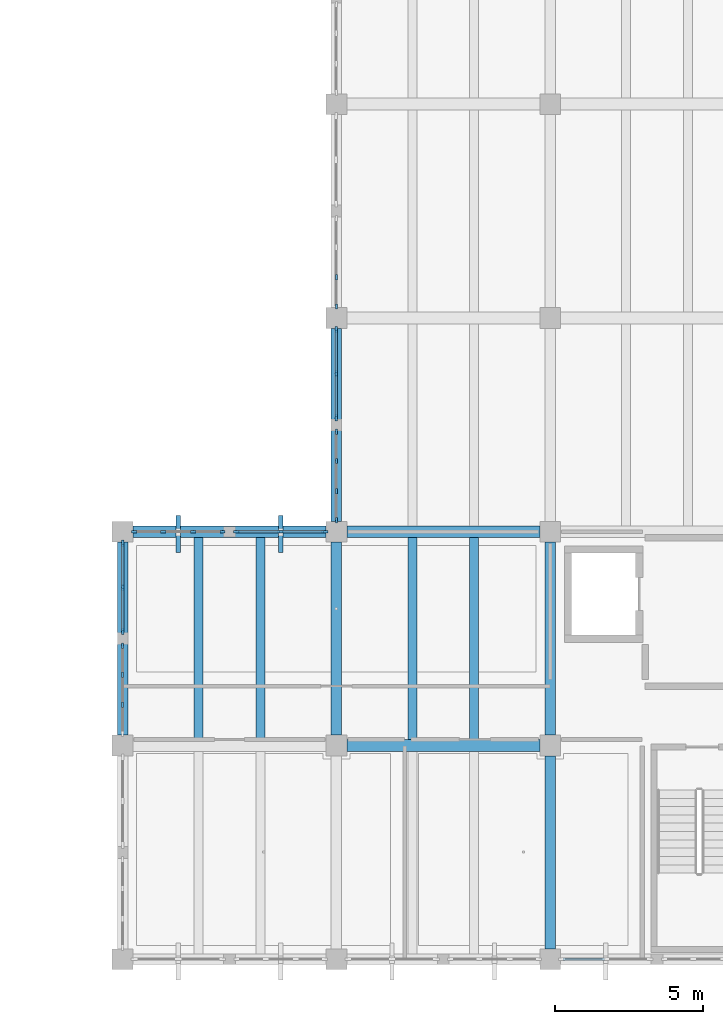
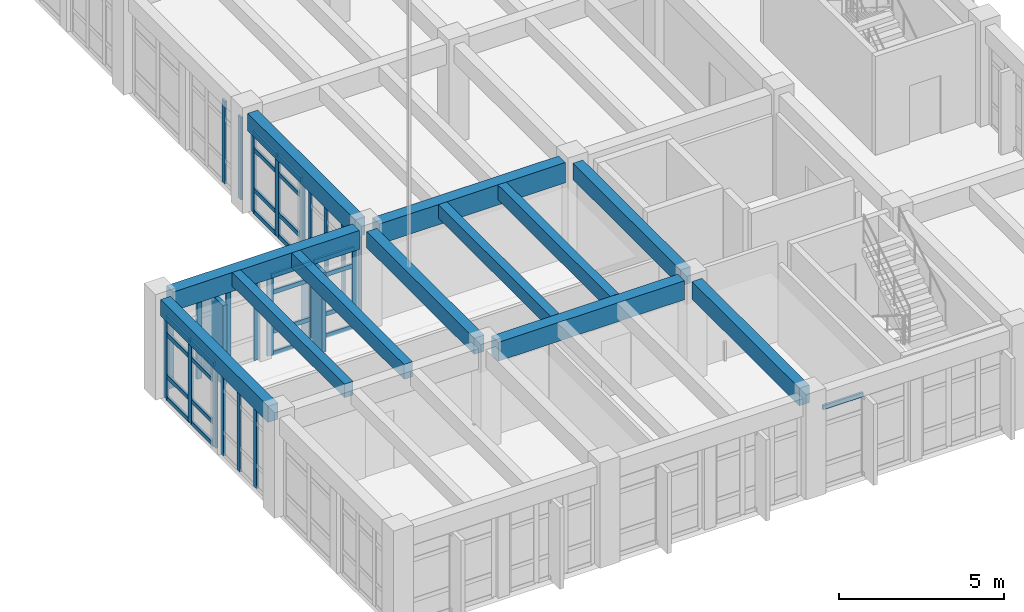
# One storey, part 11 of 54: 49 members, 12 beams, 8 elements without a shape of their own.
"""IFC4 building model written with IfcOpenShell, lengths in metres."""

from ifc_helpers import new_model, si_unit, direction, frame, origin, origin_2d, place, context, subcontext, project, spatial, rectangle, extrude, material, layer, layer_set, material_profile, profile_set, type_object, element, aggregate, save


model = new_model("IFC4")

# Units and contexts
model_context = context("Model", 3, precision=1e-05, world=origin(), true_north=direction((0.0, 1.0)))
body_context = subcontext(model_context, "Body", "Model", "MODEL_VIEW")
ifc_project = project(units=[si_unit("LENGTHUNIT", "METRE"), si_unit("AREAUNIT", "SQUARE_METRE"), si_unit("VOLUMEUNIT", "CUBIC_METRE"), si_unit("PLANEANGLEUNIT", "RADIAN"), si_unit("MASSUNIT", "GRAM", prefix="KILO")], contexts=[model_context])

# Site, building, storey
site_placement = place(None, origin())
site = spatial("IfcSite", under=ifc_project, at=site_placement, CompositionType="ELEMENT")
building_placement = place(site_placement, origin())
building = spatial("IfcBuilding", under=site, at=building_placement, Name="Koriwan Promenade Central Fire Station", CompositionType="ELEMENT")
storey_placement = place(building_placement, frame((0.0, 0.0, 9.60009765625)))
storey = spatial("IfcBuildingStorey", under=building, at=storey_placement, Name="L02", CompositionType="ELEMENT", Elevation=9.60009765625)

# Beams
ifc_material_1 = material(Name="Concrete C35/45", Category="concrete")
ifc_material_profile_1 = material_profile(ifc_material_1, rectangle(XDim=0.300048828125, YDim=0.5, at=origin_2d()), Name="RC-BM-300x500")
ifc_profile_set_1 = profile_set([ifc_material_profile_1], Name="Concrete C35/45")
beam_type_1 = type_object("IfcBeamType", Name="Beam_RC-BM-300x500", PredefinedType="JOIST", material=ifc_profile_set_1)
for number, where, z_axis, x_axis, name in (
    (1, (146.56005859375, 7.39990234375, 3.409912109375), (0.0, 1.0, 0.0), (-1.0, 0.0, 0.0), "V5 L02 secondary joist 823"),
    (2, (153.760009765625, 7.39990234375, 3.39990234375), (0.0, 1.0, 0.0), (-1.0, 0.0, 0.0), "V5 L02 secondary joist 825"),
):
    element("IfcBeam", number, at=place(storey_placement, frame(where, z_axis=z_axis, x_axis=x_axis)), inside=storey, type_object=beam_type_1, Name=name, PredefinedType="JOIST", context=body_context, shape_type="SweptSolid", body=[
        extrude(rectangle(XDim=0.300048828125, YDim=0.5, at=origin_2d()), origin(), (0.0, 0.0, 1.0), 6.800048828125),
    ])
ifc_material_profile_2 = material_profile(ifc_material_1, rectangle(XDim=0.300048828125, YDim=0.550048828125, at=origin_2d()), Name="RC-BM-300x550")
ifc_profile_set_2 = profile_set([ifc_material_profile_2], Name="Concrete C35/45")
beam_type_2 = type_object("IfcBeamType", Name="Beam_RC-BM-300x550", PredefinedType="JOIST", material=ifc_profile_set_2)
for number, where, z_axis, x_axis, name in (
    (3, (148.639892578125, 7.39990234375, 3.385009765625), (0.0, 1.0, 0.0), (-1.0, 0.0, 0.0), "V5 L02 secondary joist 824"),
    (4, (155.840087890625, 7.39990234375, 3.375), (0.0, 1.0, 0.0), (-1.0, 0.0, 0.0), "V5 L02 secondary joist 826"),
):
    element("IfcBeam", number, at=place(storey_placement, frame(where, z_axis=z_axis, x_axis=x_axis)), inside=storey, type_object=beam_type_2, Name=name, PredefinedType="JOIST", context=body_context, shape_type="SweptSolid", body=[
        extrude(rectangle(XDim=0.300048828125, YDim=0.550048828125, at=origin_2d()), origin(), (0.0, 0.0, 1.0), 6.800048828125),
    ])
ifc_material_profile_3 = material_profile(ifc_material_1, rectangle(XDim=0.35009765625, YDim=0.60009765625, at=origin_2d()), Name="RC-BM-350x600")
ifc_profile_set_3 = profile_set([ifc_material_profile_3], Name="Concrete C35/45")
beam_type_3 = type_object("IfcBeamType", Name="Beam_RC-BM-350x600", PredefinedType="BEAM", material=ifc_profile_set_3)
for number, where, z_axis, x_axis, name in (
    (5, (144.0, 7.550048828125, 3.35986328125), (0.0, 1.0, 0.0), (-1.0, 0.0, 0.0), "V5 L02 girder Y-784"),
    (6, (151.199951171875, 7.550048828125, 3.349853515625), (0.0, 1.0, 0.0), (-1.0, 0.0, 0.0), "V5 L02 girder Y-786"),
    (7, (158.39990234375, 7.550048828125, 3.349853515625), (0.0, 1.0, 0.0), (-1.0, 0.0, 0.0), "V5 L02 girder Y-794"),
):
    element("IfcBeam", number, at=place(storey_placement, frame(where, z_axis=z_axis, x_axis=x_axis)), inside=storey, type_object=beam_type_3, Name=name, PredefinedType="BEAM", context=body_context, shape_type="SweptSolid", body=[
        extrude(rectangle(XDim=0.35009765625, YDim=0.60009765625, at=origin_2d()), origin(), (0.0, 0.0, 1.0), 6.5),
    ])
ifc_material_profile_4 = material_profile(ifc_material_1, rectangle(XDim=0.35009765625, YDim=0.64990234375, at=origin_2d()), Name="RC-BM-350x650")
ifc_profile_set_4 = profile_set([ifc_material_profile_4], Name="Concrete C35/45")
beam_type_4 = type_object("IfcBeamType", Name="Beam_RC-BM-350x650", PredefinedType="BEAM", material=ifc_profile_set_4)
for number, where, z_axis, x_axis, name in (
    (8, (151.199951171875, 14.75, 3.324951171875), (0.0, 1.0, 0.0), (-1.0, 0.0, 0.0), "V5 L02 girder Y-787"),
    (9, (158.39990234375, 0.35009765625, 3.324951171875), (0.0, 1.0, 0.0), (-1.0, 0.0, 0.0), "V5 L02 girder Y-793"),
):
    element("IfcBeam", number, at=place(storey_placement, frame(where, z_axis=z_axis, x_axis=x_axis)), inside=storey, type_object=beam_type_4, Name=name, PredefinedType="BEAM", context=body_context, shape_type="SweptSolid", body=[
        extrude(rectangle(XDim=0.35009765625, YDim=0.64990234375, at=origin_2d()), origin(), (0.0, 0.0, 1.0), 6.5),
    ])
ifc_material_profile_5 = material_profile(ifc_material_1, rectangle(XDim=0.39990234375, YDim=0.699951171875, at=origin_2d()), Name="RC-BM-400x700")
ifc_profile_set_5 = profile_set([ifc_material_profile_5], Name="Concrete C35/45")
beam_type_5 = type_object("IfcBeamType", Name="Beam_RC-BM-400x700", PredefinedType="BEAM", material=ifc_profile_set_5)
for number, where, z_axis, x_axis, name in (
    (10, (151.550048828125, 7.199951171875, 3.2998046875), (1.0, 0.0, 0.0), (0.0, 1.0, 0.0), "V5 L02 girder X-760"),
    (11, (144.35009765625, 14.39990234375, 3.309814453125), (1.0, 0.0, 0.0), (0.0, 1.0, 0.0), "V5 L02 girder X-762"),
):
    element("IfcBeam", number, at=place(storey_placement, frame(where, z_axis=z_axis, x_axis=x_axis)), inside=storey, type_object=beam_type_5, Name=name, PredefinedType="BEAM", context=body_context, shape_type="SweptSolid", body=[
        extrude(rectangle(XDim=0.39990234375, YDim=0.699951171875, at=origin_2d()), origin(), (0.0, 0.0, 1.0), 6.5),
    ])
ifc_material_profile_6 = material_profile(ifc_material_1, rectangle(XDim=0.39990234375, YDim=0.75, at=origin_2d()), Name="RC-BM-400x750")
ifc_profile_set_6 = profile_set([ifc_material_profile_6], Name="Concrete C35/45")
beam_type_6 = type_object("IfcBeamType", Name="Beam_RC-BM-400x750", PredefinedType="BEAM", material=ifc_profile_set_6)
beam_placement = place(storey_placement, frame((151.550048828125, 14.39990234375, 3.27490234375), z_axis=(1.0, 0.0, 0.0), x_axis=(0.0, 1.0, 0.0)))
element("IfcBeam", 12, at=beam_placement, inside=storey, type_object=beam_type_6, Name="V5 L02 girder X-763", PredefinedType="BEAM", context=body_context, shape_type="SweptSolid", body=[
    extrude(rectangle(XDim=0.39990234375, YDim=0.75, at=origin_2d()), origin(), (0.0, 0.0, 1.0), 6.5),
])

# Curtain wall, members
ifc_material_2 = material(Name="Aluminium EN AW-6063-T6 and low-E glazing", Category="aluminium")
ifc_layer_1 = layer(ifc_material_2, 0.159912109375, Name="Aluminium EN AW-6063-T6 and low-E glazing")
ifc_layer_set_1 = layer_set([ifc_layer_1], Name="Aluminium EN AW-6063-T6 and low-E glazing")
curtain_wall_type_1 = type_object("IfcCurtainWallType", Name="CurtainWall_76_305x305", PredefinedType="USERDEFINED", material=ifc_layer_set_1)
curtain_wall_1_placement = place(storey_placement, origin())
curtain_wall_1 = element("IfcCurtainWall", 13, at=curtain_wall_1_placement, inside=storey, type_object=curtain_wall_type_1, Name="V5 L02 unitised curtain wall 219", ObjectType="UNITISED CURTAIN WALL", PredefinedType="USERDEFINED")
ifc_material_3 = material(Name="Aluminium EN AW-6063-T6", Category="aluminium")
ifc_material_profile_7 = material_profile(ifc_material_3, rectangle(XDim=0.074951171875, YDim=0.179931640625, at=origin_2d()), Name="ALU-MUL-75x180")
ifc_profile_set_7 = profile_set([ifc_material_profile_7], Name="Aluminium EN AW-6063-T6")
member_type_1 = type_object("IfcMemberType", Name="CWMullion_ALU-MUL-75x180", PredefinedType="MULLION", material=ifc_profile_set_7)
member_1_placement = place(storey_placement, frame((144.0, 8.566650390625, 0.0), z_axis=(0.0, 0.0, 1.0), x_axis=(-1.0, 0.0, 0.0)))
member_1 = element("IfcMember", 14, at=member_1_placement, type_object=member_type_1, Name="CW-76 mullion 2", PredefinedType="MULLION", context=body_context, shape_type="SweptSolid", body=[
    extrude(rectangle(XDim=0.074951171875, YDim=0.179931640625, at=origin_2d()), origin(), (0.0, 0.0, 1.0), 3.0498046875),
])
member_2_placement = place(storey_placement, frame((144.0, 9.583251953125, 0.0), z_axis=(0.0, 0.0, 1.0), x_axis=(-1.0, 0.0, 0.0)))
member_2 = element("IfcMember", 15, at=member_2_placement, type_object=member_type_1, Name="CW-76 mullion 3", PredefinedType="MULLION", context=body_context, shape_type="SweptSolid", body=[
    extrude(rectangle(XDim=0.074951171875, YDim=0.179931640625, at=origin_2d()), origin(), (0.0, 0.0, 1.0), 3.0498046875),
])
member_3_placement = place(storey_placement, frame((144.0, 10.5625, 0.0), z_axis=(0.0, 0.0, 1.0), x_axis=(-1.0, 0.0, 0.0)))
member_3 = element("IfcMember", 16, at=member_3_placement, type_object=member_type_1, Name="CW-76 mullion 4", PredefinedType="MULLION", context=body_context, shape_type="SweptSolid", body=[
    extrude(rectangle(XDim=0.074951171875, YDim=0.179931640625, at=origin_2d()), origin(), (0.0, 0.0, 1.0), 3.0498046875),
])
aggregate(curtain_wall_1, [member_1, member_2, member_3])

ifc_layer_2 = layer(ifc_material_2, 0.159912109375, Name="Aluminium EN AW-6063-T6 and low-E glazing")
ifc_layer_set_2 = layer_set([ifc_layer_2], Name="Aluminium EN AW-6063-T6 and low-E glazing")
curtain_wall_type_2 = type_object("IfcCurtainWallType", Name="CurtainWall_78_305x295", PredefinedType="USERDEFINED", material=ifc_layer_set_2)
curtain_wall_2_placement = place(storey_placement, origin())
curtain_wall_2 = element("IfcCurtainWall", 17, at=curtain_wall_2_placement, inside=storey, type_object=curtain_wall_type_2, Name="V5 L02 unitised curtain wall 221", ObjectType="UNITISED CURTAIN WALL", PredefinedType="USERDEFINED")
member_4_placement = place(storey_placement, frame((144.387451171875, 14.39990234375, 0.0), z_axis=(0.0, 0.0, 1.0), x_axis=(0.0, 1.0, 0.0)))
member_4 = element("IfcMember", 18, at=member_4_placement, type_object=member_type_1, Name="CW-78 mullion 1", PredefinedType="MULLION", context=body_context, shape_type="SweptSolid", body=[
    extrude(rectangle(XDim=0.074951171875, YDim=0.179931640625, at=origin_2d()), origin(), (0.0, 0.0, 1.0), 2.949951171875),
])
member_5_placement = place(storey_placement, frame((145.36669921875, 14.39990234375, 0.0), z_axis=(0.0, 0.0, 1.0), x_axis=(0.0, 1.0, 0.0)))
member_5 = element("IfcMember", 19, at=member_5_placement, type_object=member_type_1, Name="CW-78 mullion 2", PredefinedType="MULLION", context=body_context, shape_type="SweptSolid", body=[
    extrude(rectangle(XDim=0.074951171875, YDim=0.179931640625, at=origin_2d()), origin(), (0.0, 0.0, 1.0), 2.949951171875),
])
member_6_placement = place(storey_placement, frame((146.38330078125, 14.39990234375, 0.0), z_axis=(0.0, 0.0, 1.0), x_axis=(0.0, 1.0, 0.0)))
member_6 = element("IfcMember", 20, at=member_6_placement, type_object=member_type_1, Name="CW-78 mullion 3", PredefinedType="MULLION", context=body_context, shape_type="SweptSolid", body=[
    extrude(rectangle(XDim=0.074951171875, YDim=0.179931640625, at=origin_2d()), origin(), (0.0, 0.0, 1.0), 2.949951171875),
])
member_7_placement = place(storey_placement, frame((147.362548828125, 14.39990234375, 0.0), z_axis=(0.0, 0.0, 1.0), x_axis=(0.0, 1.0, 0.0)))
member_7 = element("IfcMember", 21, at=member_7_placement, type_object=member_type_1, Name="CW-78 mullion 4", PredefinedType="MULLION", context=body_context, shape_type="SweptSolid", body=[
    extrude(rectangle(XDim=0.074951171875, YDim=0.179931640625, at=origin_2d()), origin(), (0.0, 0.0, 1.0), 2.949951171875),
])
aggregate(curtain_wall_2, [member_4, member_5, member_6, member_7])

ifc_layer_3 = layer(ifc_material_2, 0.159912109375, Name="Aluminium EN AW-6063-T6 and low-E glazing")
ifc_layer_set_3 = layer_set([ifc_layer_3], Name="Aluminium EN AW-6063-T6 and low-E glazing")
curtain_wall_type_3 = type_object("IfcCurtainWallType", Name="CurtainWall_73_305x299", PredefinedType="USERDEFINED", material=ifc_layer_set_3)
curtain_wall_3_placement = place(storey_placement, origin())
curtain_wall_3 = element("IfcCurtainWall", 22, at=curtain_wall_3_placement, inside=storey, type_object=curtain_wall_type_3, Name="V5 L02 unitised curtain wall 223", ObjectType="UNITISED CURTAIN WALL", PredefinedType="USERDEFINED")
member_8_placement = place(storey_placement, frame((151.199951171875, 14.78759765625, 0.0), z_axis=(0.0, 0.0, 1.0), x_axis=(-1.0, 0.0, 0.0)))
member_8 = element("IfcMember", 23, at=member_8_placement, type_object=member_type_1, Name="CW-73 mullion 1", PredefinedType="MULLION", context=body_context, shape_type="SweptSolid", body=[
    extrude(rectangle(XDim=0.074951171875, YDim=0.179931640625, at=origin_2d()), origin(), (0.0, 0.0, 1.0), 2.989990234375),
])
member_9_placement = place(storey_placement, frame((151.199951171875, 15.7666015625, 0.0), z_axis=(0.0, 0.0, 1.0), x_axis=(-1.0, 0.0, 0.0)))
member_9 = element("IfcMember", 24, at=member_9_placement, type_object=member_type_1, Name="CW-73 mullion 2", PredefinedType="MULLION", context=body_context, shape_type="SweptSolid", body=[
    extrude(rectangle(XDim=0.074951171875, YDim=0.179931640625, at=origin_2d()), origin(), (0.0, 0.0, 1.0), 2.989990234375),
])
member_10_placement = place(storey_placement, frame((151.199951171875, 16.783447265625, 0.0), z_axis=(0.0, 0.0, 1.0), x_axis=(-1.0, 0.0, 0.0)))
member_10 = element("IfcMember", 25, at=member_10_placement, type_object=member_type_1, Name="CW-73 mullion 3", PredefinedType="MULLION", context=body_context, shape_type="SweptSolid", body=[
    extrude(rectangle(XDim=0.074951171875, YDim=0.179931640625, at=origin_2d()), origin(), (0.0, 0.0, 1.0), 2.989990234375),
])
member_11_placement = place(storey_placement, frame((151.199951171875, 17.762451171875, 0.0), z_axis=(0.0, 0.0, 1.0), x_axis=(-1.0, 0.0, 0.0)))
member_11 = element("IfcMember", 26, at=member_11_placement, type_object=member_type_1, Name="CW-73 mullion 4", PredefinedType="MULLION", context=body_context, shape_type="SweptSolid", body=[
    extrude(rectangle(XDim=0.074951171875, YDim=0.179931640625, at=origin_2d()), origin(), (0.0, 0.0, 1.0), 2.989990234375),
])
aggregate(curtain_wall_3, [member_8, member_9, member_10, member_11])

ifc_layer_4 = layer(ifc_material_2, 0.159912109375, Name="Aluminium EN AW-6063-T6 and low-E glazing")
ifc_layer_set_4 = layer_set([ifc_layer_4], Name="Aluminium EN AW-6063-T6 and low-E glazing")
curtain_wall_type_4 = type_object("IfcCurtainWallType", Name="CurtainWall_80_305x304", PredefinedType="USERDEFINED", material=ifc_layer_set_4)
curtain_wall_4_placement = place(storey_placement, origin())
curtain_wall_4 = element("IfcCurtainWall", 27, at=curtain_wall_4_placement, inside=storey, type_object=curtain_wall_type_4, Name="V5 L02 unitised curtain wall 225", ObjectType="UNITISED CURTAIN WALL", PredefinedType="USERDEFINED")
member_12_placement = place(storey_placement, frame((151.199951171875, 21.987548828125, 0.0), z_axis=(0.0, 0.0, 1.0), x_axis=(-1.0, 0.0, 0.0)))
member_12 = element("IfcMember", 28, at=member_12_placement, type_object=member_type_1, Name="CW-80 mullion 1", PredefinedType="MULLION", context=body_context, shape_type="SweptSolid", body=[
    extrude(rectangle(XDim=0.074951171875, YDim=0.179931640625, at=origin_2d()), origin(), (0.0, 0.0, 1.0), 3.039794921875),
])
member_13_placement = place(storey_placement, frame((151.199951171875, 22.966552734375, 0.0), z_axis=(0.0, 0.0, 1.0), x_axis=(-1.0, 0.0, 0.0)))
member_13 = element("IfcMember", 29, at=member_13_placement, type_object=member_type_1, Name="CW-80 mullion 2", PredefinedType="MULLION", context=body_context, shape_type="SweptSolid", body=[
    extrude(rectangle(XDim=0.074951171875, YDim=0.179931640625, at=origin_2d()), origin(), (0.0, 0.0, 1.0), 3.039794921875),
])
aggregate(curtain_wall_4, [member_12, member_13])

ifc_layer_5 = layer(ifc_material_2, 0.159912109375, Name="Aluminium EN AW-6063-T6 and low-E glazing")
ifc_layer_set_5 = layer_set([ifc_layer_5], Name="Aluminium EN AW-6063-T6 and low-E glazing")
curtain_wall_type_5 = type_object("IfcCurtainWallType", Name="CurtainWall_77_305x305", PredefinedType="USERDEFINED", material=ifc_layer_set_5)
curtain_wall_5_placement = place(storey_placement, origin())
curtain_wall_5 = element("IfcCurtainWall", 30, at=curtain_wall_5_placement, inside=storey, type_object=curtain_wall_type_5, Name="V5 L02 unitised curtain wall 220", ObjectType="UNITISED CURTAIN WALL", PredefinedType="USERDEFINED")
ifc_material_profile_8 = material_profile(ifc_material_3, rectangle(XDim=0.080078125, YDim=0.2099609375, at=origin_2d()), Name="ALU-MUL-80x210")
ifc_profile_set_8 = profile_set([ifc_material_profile_8], Name="Aluminium EN AW-6063-T6")
member_type_2 = type_object("IfcMemberType", Name="CWMullion_ALU-MUL-80x210", PredefinedType="MULLION", material=ifc_profile_set_8)
member_14_placement = place(storey_placement, frame((144.0, 11.0400390625, 0.0), z_axis=(0.0, 0.0, 1.0), x_axis=(-1.0, 0.0, 0.0)))
member_14 = element("IfcMember", 31, at=member_14_placement, type_object=member_type_2, Name="CW-77 mullion 1", PredefinedType="MULLION", context=body_context, shape_type="SweptSolid", body=[
    extrude(rectangle(XDim=0.080078125, YDim=0.2099609375, at=origin_2d()), origin(), (0.0, 0.0, 1.0), 3.0498046875),
])
member_15_placement = place(storey_placement, frame((144.0, 12.52490234375, 0.0), z_axis=(0.0, 0.0, 1.0), x_axis=(-1.0, 0.0, 0.0)))
member_15 = element("IfcMember", 32, at=member_15_placement, type_object=member_type_2, Name="CW-77 mullion 2", PredefinedType="MULLION", context=body_context, shape_type="SweptSolid", body=[
    extrude(rectangle(XDim=0.080078125, YDim=0.2099609375, at=origin_2d()), origin(), (0.0, 0.0, 1.0), 3.0498046875),
])
member_16_placement = place(storey_placement, frame((144.0, 14.010009765625, 0.0), z_axis=(0.0, 0.0, 1.0), x_axis=(-1.0, 0.0, 0.0)))
member_16 = element("IfcMember", 33, at=member_16_placement, type_object=member_type_2, Name="CW-77 mullion 3", PredefinedType="MULLION", context=body_context, shape_type="SweptSolid", body=[
    extrude(rectangle(XDim=0.080078125, YDim=0.2099609375, at=origin_2d()), origin(), (0.0, 0.0, 1.0), 3.0498046875),
])

ifc_layer_6 = layer(ifc_material_2, 0.159912109375, Name="Aluminium EN AW-6063-T6 and low-E glazing")
ifc_layer_set_6 = layer_set([ifc_layer_6], Name="Aluminium EN AW-6063-T6 and low-E glazing")
curtain_wall_type_6 = type_object("IfcCurtainWallType", Name="CurtainWall_79_305x295", PredefinedType="USERDEFINED", material=ifc_layer_set_6)
curtain_wall_6_placement = place(storey_placement, origin())
curtain_wall_6 = element("IfcCurtainWall", 34, at=curtain_wall_6_placement, inside=storey, type_object=curtain_wall_type_6, Name="V5 L02 unitised curtain wall 222", ObjectType="UNITISED CURTAIN WALL", PredefinedType="USERDEFINED")
member_17_placement = place(storey_placement, frame((147.840087890625, 14.39990234375, 0.0), z_axis=(0.0, 0.0, 1.0), x_axis=(0.0, 1.0, 0.0)))
member_17 = element("IfcMember", 35, at=member_17_placement, type_object=member_type_2, Name="CW-79 mullion 1", PredefinedType="MULLION", context=body_context, shape_type="SweptSolid", body=[
    extrude(rectangle(XDim=0.080078125, YDim=0.2099609375, at=origin_2d()), origin(), (0.0, 0.0, 1.0), 2.949951171875),
])
member_18_placement = place(storey_placement, frame((149.324951171875, 14.39990234375, 0.0), z_axis=(0.0, 0.0, 1.0), x_axis=(0.0, 1.0, 0.0)))
member_18 = element("IfcMember", 36, at=member_18_placement, type_object=member_type_2, Name="CW-79 mullion 2", PredefinedType="MULLION", context=body_context, shape_type="SweptSolid", body=[
    extrude(rectangle(XDim=0.080078125, YDim=0.2099609375, at=origin_2d()), origin(), (0.0, 0.0, 1.0), 2.949951171875),
])
member_19_placement = place(storey_placement, frame((150.81005859375, 14.39990234375, 0.0), z_axis=(0.0, 0.0, 1.0), x_axis=(0.0, 1.0, 0.0)))
member_19 = element("IfcMember", 37, at=member_19_placement, type_object=member_type_2, Name="CW-79 mullion 3", PredefinedType="MULLION", context=body_context, shape_type="SweptSolid", body=[
    extrude(rectangle(XDim=0.080078125, YDim=0.2099609375, at=origin_2d()), origin(), (0.0, 0.0, 1.0), 2.949951171875),
])

ifc_layer_7 = layer(ifc_material_2, 0.159912109375, Name="Aluminium EN AW-6063-T6 and low-E glazing")
ifc_layer_set_7 = layer_set([ifc_layer_7], Name="Aluminium EN AW-6063-T6 and low-E glazing")
curtain_wall_type_7 = type_object("IfcCurtainWallType", Name="CurtainWall_10_305x299", PredefinedType="USERDEFINED", material=ifc_layer_set_7)
curtain_wall_7_placement = place(storey_placement, origin())
curtain_wall_7 = element("IfcCurtainWall", 38, at=curtain_wall_7_placement, inside=storey, type_object=curtain_wall_type_7, Name="V5 L02 unitised curtain wall 224", ObjectType="UNITISED CURTAIN WALL", PredefinedType="USERDEFINED")
member_20_placement = place(storey_placement, frame((151.199951171875, 18.239990234375, 0.0), z_axis=(0.0, 0.0, 1.0), x_axis=(-1.0, 0.0, 0.0)))
member_20 = element("IfcMember", 39, at=member_20_placement, type_object=member_type_2, Name="CW-10 mullion 1", PredefinedType="MULLION", context=body_context, shape_type="SweptSolid", body=[
    extrude(rectangle(XDim=0.080078125, YDim=0.2099609375, at=origin_2d()), origin(), (0.0, 0.0, 1.0), 2.989990234375),
])
member_21_placement = place(storey_placement, frame((151.199951171875, 19.72509765625, 0.0), z_axis=(0.0, 0.0, 1.0), x_axis=(-1.0, 0.0, 0.0)))
member_21 = element("IfcMember", 40, at=member_21_placement, type_object=member_type_2, Name="CW-10 mullion 2", PredefinedType="MULLION", context=body_context, shape_type="SweptSolid", body=[
    extrude(rectangle(XDim=0.080078125, YDim=0.2099609375, at=origin_2d()), origin(), (0.0, 0.0, 1.0), 2.989990234375),
])
member_22_placement = place(storey_placement, frame((151.199951171875, 21.2099609375, 0.0), z_axis=(0.0, 0.0, 1.0), x_axis=(-1.0, 0.0, 0.0)))
member_22 = element("IfcMember", 41, at=member_22_placement, type_object=member_type_2, Name="CW-10 mullion 3", PredefinedType="MULLION", context=body_context, shape_type="SweptSolid", body=[
    extrude(rectangle(XDim=0.080078125, YDim=0.2099609375, at=origin_2d()), origin(), (0.0, 0.0, 1.0), 2.989990234375),
])

# Curtain wall, member
curtain_wall_8_placement = place(storey_placement, origin())
curtain_wall_8 = element("IfcCurtainWall", 42, at=curtain_wall_8_placement, inside=storey, type_object=curtain_wall_type_7, Name="V5 L02 unitised curtain wall 212", ObjectType="UNITISED CURTAIN WALL", PredefinedType="USERDEFINED")
ifc_material_profile_9 = material_profile(ifc_material_3, rectangle(XDim=0.080078125, YDim=0.155029296875, at=origin_2d()), Name="ALU-TRN-80x155")
ifc_profile_set_9 = profile_set([ifc_material_profile_9], Name="Aluminium EN AW-6063-T6")
member_type_3 = type_object("IfcMemberType", Name="CWTransom_ALU-TRN-80x155", PredefinedType="USERDEFINED", material=ifc_profile_set_9)
member_23_placement = place(storey_placement, frame((160.235107421875, 0.0, 2.949951171875), z_axis=(-1.0, 0.0, 0.0), x_axis=(0.0, -1.0, 0.0)))
member_23 = element("IfcMember", 43, at=member_23_placement, type_object=member_type_3, Name="CW-10 transom 2.4", ObjectType="TRANSOM", PredefinedType="USERDEFINED", context=body_context, shape_type="SweptSolid", body=[
    extrude(rectangle(XDim=0.080078125, YDim=0.155029296875, at=origin_2d()), origin(), (0.0, 0.0, 1.0), 1.405029296875),
])
aggregate(curtain_wall_8, [member_23])

# Member
member_24_placement = place(storey_placement, frame((144.0, 11.080078125, 0.039794921875), z_axis=(0.0, 1.0, 0.0), x_axis=(-1.0, 0.0, 0.0)))
member_24 = element("IfcMember", 44, at=member_24_placement, type_object=member_type_3, Name="CW-77 transom 1.1", ObjectType="TRANSOM", PredefinedType="USERDEFINED", context=body_context, shape_type="SweptSolid", body=[
    extrude(rectangle(XDim=0.080078125, YDim=0.155029296875, at=origin_2d()), origin(), (0.0, 0.0, 1.0), 1.405029296875),
])

member_25_placement = place(storey_placement, frame((144.0, 11.080078125, 0.849853515625), z_axis=(0.0, 1.0, 0.0), x_axis=(-1.0, 0.0, 0.0)))
member_25 = element("IfcMember", 45, at=member_25_placement, type_object=member_type_3, Name="CW-77 transom 1.2", ObjectType="TRANSOM", PredefinedType="USERDEFINED", context=body_context, shape_type="SweptSolid", body=[
    extrude(rectangle(XDim=0.080078125, YDim=0.155029296875, at=origin_2d()), origin(), (0.0, 0.0, 1.0), 1.405029296875),
])

member_26_placement = place(storey_placement, frame((144.0, 11.080078125, 2.39990234375), z_axis=(0.0, 1.0, 0.0), x_axis=(-1.0, 0.0, 0.0)))
member_26 = element("IfcMember", 46, at=member_26_placement, type_object=member_type_3, Name="CW-77 transom 1.3", ObjectType="TRANSOM", PredefinedType="USERDEFINED", context=body_context, shape_type="SweptSolid", body=[
    extrude(rectangle(XDim=0.080078125, YDim=0.155029296875, at=origin_2d()), origin(), (0.0, 0.0, 1.0), 1.405029296875),
])

member_27_placement = place(storey_placement, frame((144.0, 11.080078125, 3.010009765625), z_axis=(0.0, 1.0, 0.0), x_axis=(-1.0, 0.0, 0.0)))
member_27 = element("IfcMember", 47, at=member_27_placement, type_object=member_type_3, Name="CW-77 transom 1.4", ObjectType="TRANSOM", PredefinedType="USERDEFINED", context=body_context, shape_type="SweptSolid", body=[
    extrude(rectangle(XDim=0.080078125, YDim=0.155029296875, at=origin_2d()), origin(), (0.0, 0.0, 1.0), 1.405029296875),
])

member_28_placement = place(storey_placement, frame((144.0, 12.56494140625, 0.039794921875), z_axis=(0.0, 1.0, 0.0), x_axis=(-1.0, 0.0, 0.0)))
member_28 = element("IfcMember", 48, at=member_28_placement, type_object=member_type_3, Name="CW-77 transom 2.1", ObjectType="TRANSOM", PredefinedType="USERDEFINED", context=body_context, shape_type="SweptSolid", body=[
    extrude(rectangle(XDim=0.080078125, YDim=0.155029296875, at=origin_2d()), origin(), (0.0, 0.0, 1.0), 1.405029296875),
])

member_29_placement = place(storey_placement, frame((144.0, 12.56494140625, 0.849853515625), z_axis=(0.0, 1.0, 0.0), x_axis=(-1.0, 0.0, 0.0)))
member_29 = element("IfcMember", 49, at=member_29_placement, type_object=member_type_3, Name="CW-77 transom 2.2", ObjectType="TRANSOM", PredefinedType="USERDEFINED", context=body_context, shape_type="SweptSolid", body=[
    extrude(rectangle(XDim=0.080078125, YDim=0.155029296875, at=origin_2d()), origin(), (0.0, 0.0, 1.0), 1.405029296875),
])

member_30_placement = place(storey_placement, frame((144.0, 12.56494140625, 2.39990234375), z_axis=(0.0, 1.0, 0.0), x_axis=(-1.0, 0.0, 0.0)))
member_30 = element("IfcMember", 50, at=member_30_placement, type_object=member_type_3, Name="CW-77 transom 2.3", ObjectType="TRANSOM", PredefinedType="USERDEFINED", context=body_context, shape_type="SweptSolid", body=[
    extrude(rectangle(XDim=0.080078125, YDim=0.155029296875, at=origin_2d()), origin(), (0.0, 0.0, 1.0), 1.405029296875),
])

member_31_placement = place(storey_placement, frame((144.0, 12.56494140625, 3.010009765625), z_axis=(0.0, 1.0, 0.0), x_axis=(-1.0, 0.0, 0.0)))
member_31 = element("IfcMember", 51, at=member_31_placement, type_object=member_type_3, Name="CW-77 transom 2.4", ObjectType="TRANSOM", PredefinedType="USERDEFINED", context=body_context, shape_type="SweptSolid", body=[
    extrude(rectangle(XDim=0.080078125, YDim=0.155029296875, at=origin_2d()), origin(), (0.0, 0.0, 1.0), 1.405029296875),
])

aggregate(curtain_wall_5, [member_14, member_15, member_16, member_24, member_25, member_26, member_27, member_28, member_29, member_30, member_31])

member_32_placement = place(storey_placement, frame((147.8798828125, 14.39990234375, 0.039794921875), z_axis=(1.0, 0.0, 0.0), x_axis=(0.0, 1.0, 0.0)))
member_32 = element("IfcMember", 52, at=member_32_placement, type_object=member_type_3, Name="CW-79 transom 1.1", ObjectType="TRANSOM", PredefinedType="USERDEFINED", context=body_context, shape_type="SweptSolid", body=[
    extrude(rectangle(XDim=0.080078125, YDim=0.155029296875, at=origin_2d()), origin(), (0.0, 0.0, 1.0), 1.405029296875),
])

member_33_placement = place(storey_placement, frame((147.8798828125, 14.39990234375, 0.849853515625), z_axis=(1.0, 0.0, 0.0), x_axis=(0.0, 1.0, 0.0)))
member_33 = element("IfcMember", 53, at=member_33_placement, type_object=member_type_3, Name="CW-79 transom 1.2", ObjectType="TRANSOM", PredefinedType="USERDEFINED", context=body_context, shape_type="SweptSolid", body=[
    extrude(rectangle(XDim=0.080078125, YDim=0.155029296875, at=origin_2d()), origin(), (0.0, 0.0, 1.0), 1.405029296875),
])

member_34_placement = place(storey_placement, frame((147.8798828125, 14.39990234375, 2.2998046875), z_axis=(1.0, 0.0, 0.0), x_axis=(0.0, 1.0, 0.0)))
member_34 = element("IfcMember", 54, at=member_34_placement, type_object=member_type_3, Name="CW-79 transom 1.3", ObjectType="TRANSOM", PredefinedType="USERDEFINED", context=body_context, shape_type="SweptSolid", body=[
    extrude(rectangle(XDim=0.080078125, YDim=0.155029296875, at=origin_2d()), origin(), (0.0, 0.0, 1.0), 1.405029296875),
])

member_35_placement = place(storey_placement, frame((147.8798828125, 14.39990234375, 2.909912109375), z_axis=(1.0, 0.0, 0.0), x_axis=(0.0, 1.0, 0.0)))
member_35 = element("IfcMember", 55, at=member_35_placement, type_object=member_type_3, Name="CW-79 transom 1.4", ObjectType="TRANSOM", PredefinedType="USERDEFINED", context=body_context, shape_type="SweptSolid", body=[
    extrude(rectangle(XDim=0.080078125, YDim=0.155029296875, at=origin_2d()), origin(), (0.0, 0.0, 1.0), 1.405029296875),
])

member_36_placement = place(storey_placement, frame((149.364990234375, 14.39990234375, 0.039794921875), z_axis=(1.0, 0.0, 0.0), x_axis=(0.0, 1.0, 0.0)))
member_36 = element("IfcMember", 56, at=member_36_placement, type_object=member_type_3, Name="CW-79 transom 2.1", ObjectType="TRANSOM", PredefinedType="USERDEFINED", context=body_context, shape_type="SweptSolid", body=[
    extrude(rectangle(XDim=0.080078125, YDim=0.155029296875, at=origin_2d()), origin(), (0.0, 0.0, 1.0), 1.405029296875),
])

member_37_placement = place(storey_placement, frame((149.364990234375, 14.39990234375, 0.849853515625), z_axis=(1.0, 0.0, 0.0), x_axis=(0.0, 1.0, 0.0)))
member_37 = element("IfcMember", 57, at=member_37_placement, type_object=member_type_3, Name="CW-79 transom 2.2", ObjectType="TRANSOM", PredefinedType="USERDEFINED", context=body_context, shape_type="SweptSolid", body=[
    extrude(rectangle(XDim=0.080078125, YDim=0.155029296875, at=origin_2d()), origin(), (0.0, 0.0, 1.0), 1.405029296875),
])

member_38_placement = place(storey_placement, frame((149.364990234375, 14.39990234375, 2.2998046875), z_axis=(1.0, 0.0, 0.0), x_axis=(0.0, 1.0, 0.0)))
member_38 = element("IfcMember", 58, at=member_38_placement, type_object=member_type_3, Name="CW-79 transom 2.3", ObjectType="TRANSOM", PredefinedType="USERDEFINED", context=body_context, shape_type="SweptSolid", body=[
    extrude(rectangle(XDim=0.080078125, YDim=0.155029296875, at=origin_2d()), origin(), (0.0, 0.0, 1.0), 1.405029296875),
])

member_39_placement = place(storey_placement, frame((149.364990234375, 14.39990234375, 2.909912109375), z_axis=(1.0, 0.0, 0.0), x_axis=(0.0, 1.0, 0.0)))
member_39 = element("IfcMember", 59, at=member_39_placement, type_object=member_type_3, Name="CW-79 transom 2.4", ObjectType="TRANSOM", PredefinedType="USERDEFINED", context=body_context, shape_type="SweptSolid", body=[
    extrude(rectangle(XDim=0.080078125, YDim=0.155029296875, at=origin_2d()), origin(), (0.0, 0.0, 1.0), 1.405029296875),
])

aggregate(curtain_wall_6, [member_17, member_18, member_19, member_32, member_33, member_34, member_35, member_36, member_37, member_38, member_39])

member_40_placement = place(storey_placement, frame((151.199951171875, 18.280029296875, 0.039794921875), z_axis=(0.0, 1.0, 0.0), x_axis=(-1.0, 0.0, 0.0)))
member_40 = element("IfcMember", 60, at=member_40_placement, type_object=member_type_3, Name="CW-10 transom 1.1", ObjectType="TRANSOM", PredefinedType="USERDEFINED", context=body_context, shape_type="SweptSolid", body=[
    extrude(rectangle(XDim=0.080078125, YDim=0.155029296875, at=origin_2d()), origin(), (0.0, 0.0, 1.0), 1.405029296875),
])

member_41_placement = place(storey_placement, frame((151.199951171875, 18.280029296875, 0.849853515625), z_axis=(0.0, 1.0, 0.0), x_axis=(-1.0, 0.0, 0.0)))
member_41 = element("IfcMember", 61, at=member_41_placement, type_object=member_type_3, Name="CW-10 transom 1.2", ObjectType="TRANSOM", PredefinedType="USERDEFINED", context=body_context, shape_type="SweptSolid", body=[
    extrude(rectangle(XDim=0.080078125, YDim=0.155029296875, at=origin_2d()), origin(), (0.0, 0.0, 1.0), 1.405029296875),
])

member_42_placement = place(storey_placement, frame((151.199951171875, 18.280029296875, 2.33984375), z_axis=(0.0, 1.0, 0.0), x_axis=(-1.0, 0.0, 0.0)))
member_42 = element("IfcMember", 62, at=member_42_placement, type_object=member_type_3, Name="CW-10 transom 1.3", ObjectType="TRANSOM", PredefinedType="USERDEFINED", context=body_context, shape_type="SweptSolid", body=[
    extrude(rectangle(XDim=0.080078125, YDim=0.155029296875, at=origin_2d()), origin(), (0.0, 0.0, 1.0), 1.405029296875),
])

member_43_placement = place(storey_placement, frame((151.199951171875, 18.280029296875, 2.949951171875), z_axis=(0.0, 1.0, 0.0), x_axis=(-1.0, 0.0, 0.0)))
member_43 = element("IfcMember", 63, at=member_43_placement, type_object=member_type_3, Name="CW-10 transom 1.4", ObjectType="TRANSOM", PredefinedType="USERDEFINED", context=body_context, shape_type="SweptSolid", body=[
    extrude(rectangle(XDim=0.080078125, YDim=0.155029296875, at=origin_2d()), origin(), (0.0, 0.0, 1.0), 1.405029296875),
])

member_44_placement = place(storey_placement, frame((151.199951171875, 19.764892578125, 0.039794921875), z_axis=(0.0, 1.0, 0.0), x_axis=(-1.0, 0.0, 0.0)))
member_44 = element("IfcMember", 64, at=member_44_placement, type_object=member_type_3, Name="CW-10 transom 2.1", ObjectType="TRANSOM", PredefinedType="USERDEFINED", context=body_context, shape_type="SweptSolid", body=[
    extrude(rectangle(XDim=0.080078125, YDim=0.155029296875, at=origin_2d()), origin(), (0.0, 0.0, 1.0), 1.405029296875),
])

member_45_placement = place(storey_placement, frame((151.199951171875, 19.764892578125, 0.849853515625), z_axis=(0.0, 1.0, 0.0), x_axis=(-1.0, 0.0, 0.0)))
member_45 = element("IfcMember", 65, at=member_45_placement, type_object=member_type_3, Name="CW-10 transom 2.2", ObjectType="TRANSOM", PredefinedType="USERDEFINED", context=body_context, shape_type="SweptSolid", body=[
    extrude(rectangle(XDim=0.080078125, YDim=0.155029296875, at=origin_2d()), origin(), (0.0, 0.0, 1.0), 1.405029296875),
])

member_46_placement = place(storey_placement, frame((151.199951171875, 19.764892578125, 2.33984375), z_axis=(0.0, 1.0, 0.0), x_axis=(-1.0, 0.0, 0.0)))
member_46 = element("IfcMember", 66, at=member_46_placement, type_object=member_type_3, Name="CW-10 transom 2.3", ObjectType="TRANSOM", PredefinedType="USERDEFINED", context=body_context, shape_type="SweptSolid", body=[
    extrude(rectangle(XDim=0.080078125, YDim=0.155029296875, at=origin_2d()), origin(), (0.0, 0.0, 1.0), 1.405029296875),
])

member_47_placement = place(storey_placement, frame((151.199951171875, 19.764892578125, 2.949951171875), z_axis=(0.0, 1.0, 0.0), x_axis=(-1.0, 0.0, 0.0)))
member_47 = element("IfcMember", 67, at=member_47_placement, type_object=member_type_3, Name="CW-10 transom 2.4", ObjectType="TRANSOM", PredefinedType="USERDEFINED", context=body_context, shape_type="SweptSolid", body=[
    extrude(rectangle(XDim=0.080078125, YDim=0.155029296875, at=origin_2d()), origin(), (0.0, 0.0, 1.0), 1.405029296875),
])

aggregate(curtain_wall_7, [member_20, member_21, member_22, member_40, member_41, member_42, member_43, member_44, member_45, member_46, member_47])

# Members
ifc_material_4 = material(Name="Aluminium EN AW-6063-T6 terracotta finish", Category="masonry")
ifc_material_profile_10 = material_profile(ifc_material_4, rectangle(XDim=0.139892578125, YDim=1.25, at=origin_2d()), Name="FIN-TRC-140x1250")
ifc_profile_set_10 = profile_set([ifc_material_profile_10], Name="Aluminium EN AW-6063-T6 terracotta finish")
member_type_4 = type_object("IfcMemberType", Name="SolarFin_FIN-TRC-140x1250", PredefinedType="USERDEFINED", material=ifc_profile_set_10)
for number, where, z_axis, x_axis, name in (
    (68, (145.875, 14.324951171875, 0.0), (0.0, 0.0, 1.0), (-1.0, 0.0, 0.0), "V5 L02 terracotta solar fin 067"),
    (69, (149.324951171875, 14.324951171875, 0.0), (0.0, 0.0, 1.0), (-1.0, 0.0, 0.0), "V5 L02 terracotta solar fin 068"),
):
    element("IfcMember", number, at=place(storey_placement, frame(where, z_axis=z_axis, x_axis=x_axis)), inside=storey, type_object=member_type_4, Name=name, ObjectType="SOLAR FIN", PredefinedType="USERDEFINED", context=body_context, shape_type="SweptSolid", body=[
        extrude(rectangle(XDim=0.139892578125, YDim=1.25, at=origin_2d()), origin(), (0.0, 0.0, 1.0), 2.949951171875),
    ])

save(model, "model.ifc")
